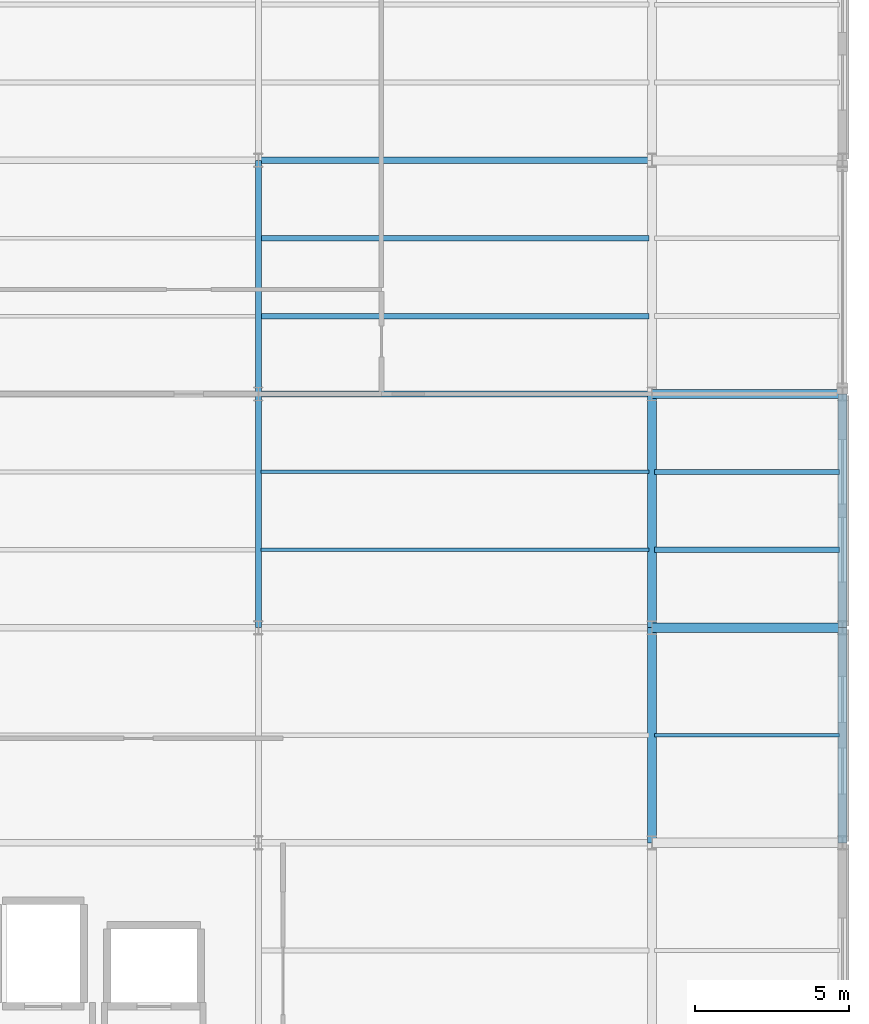
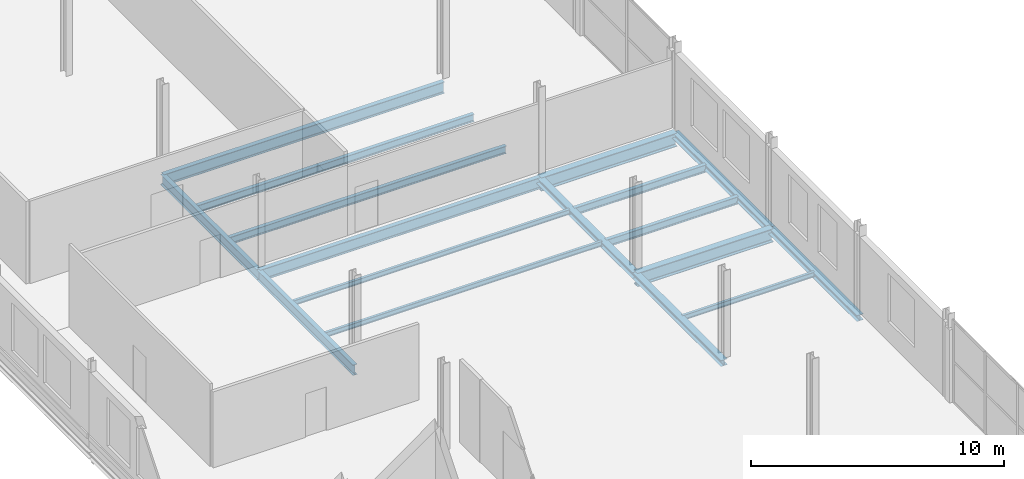
# One storey, part 72 of 93: 17 beams.
"""IFC4 building model written with IfcOpenShell, lengths in metres."""

import ifcopenshell
import ifcopenshell.guid

model = None  # the IFC model being written
_history = None  # IfcOwnerHistory: only IFC2X3 demands one
_inside = {}  # id of a spatial element -> (the spatial element, [elements in it])
_under = {}  # id of a project, library or spatial element -> (it, [spatial elements below it])
_declared = {}  # id of a project -> (the project, [libraries it declares])
_typed = {}  # id of a type object -> (the type object, [elements of that type])
_made_of = {}  # id of a material, layer set ... -> (it, [elements and type objects made of it])


def new_model(schema):
    """Start an empty IFC model of exactly this schema.

    Asked for "IFC4X3", IfcOpenShell would pick the latest addendum, in which some entities
    have other attributes; the version numbers below select the first issue.
    IFC2X3 requires an IfcOwnerHistory on every rooted entity: one is made here for all.
    """
    global model, _history
    if schema == "IFC4X3":
        model = ifcopenshell.file(schema_version=(4, 3, 0, 0))
    else:
        model = ifcopenshell.file(schema=schema)
    _inside.clear()
    _under.clear()
    _declared.clear()
    _typed.clear()
    _made_of.clear()
    _history = None
    if model.schema == "IFC2X3":
        org = make("IfcOrganization", Name="unknown")
        user = make(
            "IfcPersonAndOrganization",
            ThePerson=make("IfcPerson", FamilyName="unknown"),
            TheOrganization=org,
        )
        app = make(
            "IfcApplication",
            ApplicationDeveloper=org,
            Version="unknown",
            ApplicationFullName="unknown",
            ApplicationIdentifier="unknown",
        )
        _history = make(
            "IfcOwnerHistory",
            OwningUser=user,
            OwningApplication=app,
            ChangeAction="ADDED",
            CreationDate=0,
        )
    return model


def make(cls, **values):
    """One entity of the class cls with the attributes given. An attribute that is None is left unset."""
    return model.create_entity(
        cls, **{name: value for name, value in values.items() if value is not None}
    )


def rooted(cls, **values):
    """An entity with a GlobalId (a new one), such as an element, a storey or a relation."""
    return make(cls, GlobalId=ifcopenshell.guid.new(), OwnerHistory=_history, **values)


def si_unit(unit_type, name, prefix=None):
    """IfcSIUnit, for example si_unit("LENGTHUNIT", "METRE", prefix="MILLI")."""
    return make("IfcSIUnit", UnitType=unit_type, Prefix=prefix, Name=name)


def assignment(units):
    """IfcUnitAssignment: the units of a project."""
    return None if units is None else make("IfcUnitAssignment", Units=units)


def point(xyz):
    """IfcCartesianPoint."""
    return None if xyz is None else make("IfcCartesianPoint", Coordinates=xyz)


def direction(xyz):
    """IfcDirection."""
    return None if xyz is None else make("IfcDirection", DirectionRatios=xyz)


def frame(location, z_axis=None, x_axis=None):
    """IfcAxis2Placement3D, a coordinate frame: its origin and axes. An axis left out is left unset."""
    return make(
        "IfcAxis2Placement3D",
        Location=point(location),
        Axis=direction(z_axis),
        RefDirection=direction(x_axis),
    )


def frame_2d(location, x_axis=None):
    """IfcAxis2Placement2D, a coordinate frame in the plane: its origin and x axis."""
    return make(
        "IfcAxis2Placement2D", Location=point(location), RefDirection=direction(x_axis)
    )


def origin():
    """The frame at (0, 0, 0) with its axes left unset."""
    return frame((0.0, 0.0, 0.0))


def origin_2d():
    """The frame at (0, 0) in the plane with its x axis left unset."""
    return frame_2d((0.0, 0.0))


def place(relative_to, where):
    """IfcLocalPlacement: puts the frame where relative to a parent placement (None: the world)."""
    return make(
        "IfcLocalPlacement", PlacementRelTo=relative_to, RelativePlacement=where
    )


def context(
    kind, dimensions, precision=None, world=None, true_north=None, identifier=None
):
    """IfcGeometricRepresentationContext, for example the 3D "Model" context."""
    return make(
        "IfcGeometricRepresentationContext",
        ContextIdentifier=identifier,
        ContextType=kind,
        CoordinateSpaceDimension=dimensions,
        Precision=precision,
        WorldCoordinateSystem=world,
        TrueNorth=true_north,
    )


def subcontext(parent, identifier, kind, view, scale=None):
    """IfcGeometricRepresentationSubContext, for example "Body" below "Model"."""
    return make(
        "IfcGeometricRepresentationSubContext",
        ContextIdentifier=identifier,
        ContextType=kind,
        ParentContext=parent,
        TargetScale=scale,
        TargetView=view,
    )


def project(units=None, contexts=None):
    """IfcProject with its units and contexts."""
    return rooted(
        "IfcProject",
        Name="project",
        RepresentationContexts=contexts,
        UnitsInContext=assignment(units),
    )


def spatial(cls, under=None, at=None, **own):
    """A site, building, storey or space (cls), placed at a placement, below another one or the project."""
    s = rooted(cls, ObjectPlacement=at, **own)
    if under is not None:
        _under.setdefault(under.id(), (under, []))[1].append(s)
    return s


def profile(cls, at=None, kind="AREA", **sizes):
    """A parametric profile (cls). Its sizes go by their IFC names, for example OverallWidth=200.0."""
    return make(cls, ProfileType=kind, Position=at, **sizes)


def i_section(**sizes):
    """IfcIShapeProfileDef."""
    return profile("IfcIShapeProfileDef", **sizes)


def extrude(swept, where, along, depth):
    """IfcExtrudedAreaSolid: the profile swept, set in the frame where, extruded along a direction by depth."""
    return make(
        "IfcExtrudedAreaSolid",
        SweptArea=swept,
        Position=where,
        ExtrudedDirection=direction(along),
        Depth=depth,
    )


def shape(context_of_items, identifier, shape_type, items):
    """IfcShapeRepresentation: the items that make up one representation, for example the "Body"."""
    return make(
        "IfcShapeRepresentation",
        ContextOfItems=context_of_items,
        RepresentationIdentifier=identifier,
        RepresentationType=shape_type,
        Items=items,
    )


def material(Name=None, Category=None):
    """IfcMaterial."""
    return make("IfcMaterial", Name=Name, Category=Category)


def material_profile(
    of_material, cross_section, Name=None, Category=None, Priority=None
):
    """IfcMaterialProfile: a cross section and its material."""
    return make(
        "IfcMaterialProfile",
        Name=Name,
        Material=of_material,
        Profile=cross_section,
        Priority=Priority,
        Category=Category,
    )


def profile_set(profiles, Name=None, composite=None):
    """IfcMaterialProfileSet."""
    return make(
        "IfcMaterialProfileSet",
        Name=Name,
        MaterialProfiles=profiles,
        CompositeProfile=composite,
    )


def made_of(thing, what):
    """Note that an element or type object is made of a material, layer set ...; save() writes the relation."""
    if what is not None:
        _made_of.setdefault(what.id(), (what, []))[1].append(thing)
    return thing


def type_object(cls, material=None, **own):
    """A type object (cls), such as IfcWallType, which elements share."""
    return made_of(rooted(cls, **own), material)


def element(
    cls,
    number,
    at=None,
    inside=None,
    cuts=None,
    type_object=None,
    material=None,
    context=None,
    identifier="Body",
    shape_type=None,
    held_by="IfcProductDefinitionShape",
    body=None,
    shapes=None,
    **own,
):
    """One element of the class cls, such as IfcWall. Its Tag is "e" and its number.

    at: its placement. inside: the storey or other place that contains it. cuts: it is an
    opening in that element (IfcRelVoidsElement). A single representation is given by context,
    identifier, shape_type and body (its items); several are given by shapes. held_by: the class
    of the entity that holds the representations. save() writes the other relations.
    """
    e = rooted(cls, Tag="e%d" % number, ObjectPlacement=at, **own)
    if body is not None:
        shapes = [shape(context, identifier, shape_type, body)]
    if shapes is not None:
        e.Representation = make(held_by, Representations=shapes)
    if inside is not None:
        _inside.setdefault(inside.id(), (inside, []))[1].append(e)
    if cuts is not None:
        rooted(
            "IfcRelVoidsElement", RelatingBuildingElement=cuts, RelatedOpeningElement=e
        )
    if type_object is not None:
        _typed.setdefault(type_object.id(), (type_object, []))[1].append(e)
    return made_of(e, material)


def aggregate(whole, parts):
    """IfcRelAggregates: a whole, such as a stair, and the parts it consists of."""
    return rooted("IfcRelAggregates", RelatingObject=whole, RelatedObjects=parts)


def save(model, path):
    """Write the relations noted so far, then the file.

    IfcRelAggregates (storeys below a building ...), IfcRelContainedInSpatialStructure (elements
    in a storey), IfcRelDefinesByType, IfcRelAssociatesMaterial and IfcRelDeclares: one each for
    every whole, place, type object, material and project.
    """
    for whole, parts in _under.values():
        aggregate(whole, parts)
    for where, things in _inside.values():
        rooted(
            "IfcRelContainedInSpatialStructure",
            RelatedElements=things,
            RelatingStructure=where,
        )
    for kind, things in _typed.values():
        rooted("IfcRelDefinesByType", RelatedObjects=things, RelatingType=kind)
    for what, things in _made_of.values():
        rooted("IfcRelAssociatesMaterial", RelatedObjects=things, RelatingMaterial=what)
    for by, libraries in _declared.values():
        rooted("IfcRelDeclares", RelatingContext=by, RelatedDefinitions=libraries)
    model.write(path)


model = new_model("IFC4")

# Units and contexts
model_context = context("Model", 3, precision=1e-05, world=origin(), true_north=direction((0.0, 1.0)))
body_context = subcontext(model_context, "Body", "Model", "MODEL_VIEW")
ifc_project = project(units=[si_unit("LENGTHUNIT", "METRE"), si_unit("AREAUNIT", "SQUARE_METRE"), si_unit("VOLUMEUNIT", "CUBIC_METRE"), si_unit("PLANEANGLEUNIT", "RADIAN"), si_unit("MASSUNIT", "GRAM", prefix="KILO")], contexts=[model_context])

# Site, building, storey
site_placement = place(None, origin())
site = spatial("IfcSite", under=ifc_project, at=site_placement, CompositionType="ELEMENT")
building_placement = place(site_placement, origin())
building = spatial("IfcBuilding", under=site, at=building_placement, Name="Vekula Escarpment Museum", CompositionType="ELEMENT")
storey_placement = place(building_placement, frame((0.0, 0.0, 22.199951171875)))
storey = spatial("IfcBuildingStorey", under=building, at=storey_placement, Name="L05", CompositionType="ELEMENT", Elevation=22.199951171875)

# Beams
ifc_material_1 = material(Name="Steel S355", Category="steel")
ifc_material_profile_1 = material_profile(ifc_material_1, i_section(OverallWidth=0.300048828125, OverallDepth=0.64990234375, WebThickness=0.01611328125, FlangeThickness=0.031005859375, FilletRadius=0.027099609375, at=origin_2d()), Name="HEB 650")
ifc_profile_set_1 = profile_set([ifc_material_profile_1], Name="Steel S355")
beam_type_1 = type_object("IfcBeamType", Name="BM-GIRD-HEB650", PredefinedType="BEAM", material=ifc_profile_set_1)
for number, where, z_axis, x_axis, name in (
    (1, (191.800048828125, 90.39990234375, -0.574951171875), (1.0, 0.0, 0.0), (0.0, 1.0, 0.0), "Beam X L05 2054"),
    (2, (191.800048828125, 98.0, -0.574951171875), (1.0, 0.0, 0.0), (0.0, 1.0, 0.0), "Beam X L05 2058"),
):
    element("IfcBeam", number, at=place(storey_placement, frame(where, z_axis=z_axis, x_axis=x_axis)), inside=storey, type_object=beam_type_1, Name=name, PredefinedType="BEAM", context=body_context, shape_type="SweptSolid", body=[
        extrude(i_section(OverallWidth=0.300048828125, OverallDepth=0.64990234375, WebThickness=0.01611328125, FlangeThickness=0.031005859375, FilletRadius=0.027099609375, at=origin_2d()), origin(), (0.0, 0.0, 1.0), 6.199951171875),
    ])
ifc_material_2 = material(Name="Steel S355", Category="steel")
ifc_material_profile_2 = material_profile(ifc_material_2, i_section(OverallWidth=0.199951171875, OverallDepth=0.5, WebThickness=0.01025390625, FlangeThickness=0.01611328125, FilletRadius=0.02099609375, at=origin_2d()), Name="IPE 500")
ifc_profile_set_2 = profile_set([ifc_material_profile_2], Name="Steel S355")
beam_type_2 = type_object("IfcBeamType", Name="BM-GIRD-IPE500", PredefinedType="BEAM", material=ifc_profile_set_2)
for number, where, z_axis, x_axis, name in (
    (3, (179.0, 90.39990234375, -0.5), (0.0, 1.0, 0.0), (-1.0, 0.0, 0.0), "Beam Y L05 2171"),
    (4, (179.0, 98.0, -0.5), (0.0, 1.0, 0.0), (-1.0, 0.0, 0.0), "Beam Y L05 2172"),
):
    element("IfcBeam", number, at=place(storey_placement, frame(where, z_axis=z_axis, x_axis=x_axis)), inside=storey, type_object=beam_type_2, Name=name, PredefinedType="BEAM", context=body_context, shape_type="SweptSolid", body=[
        extrude(i_section(OverallWidth=0.199951171875, OverallDepth=0.5, WebThickness=0.01025390625, FlangeThickness=0.01611328125, FilletRadius=0.02099609375, at=origin_2d()), origin(), (0.0, 0.0, 1.0), 7.60009765625),
    ])
ifc_material_3 = material(Name="Steel S355", Category="steel")
ifc_material_profile_3 = material_profile(ifc_material_3, i_section(OverallWidth=0.2099609375, OverallDepth=0.550048828125, WebThickness=0.010986328125, FlangeThickness=0.01708984375, FilletRadius=0.02392578125, at=origin_2d()), Name="IPE 550")
ifc_profile_set_3 = profile_set([ifc_material_profile_3], Name="Steel S355")
beam_type_3 = type_object("IfcBeamType", Name="BM-GIRD-IPE550", PredefinedType="BEAM", material=ifc_profile_set_3)
for number, where, z_axis, x_axis, name in (
    (5, (179.0, 98.0, -0.52490234375), (1.0, 0.0, 0.0), (0.0, 1.0, 0.0), "Beam X L05 2057"),
    (6, (179.0, 105.60009765625, -0.52490234375), (1.0, 0.0, 0.0), (0.0, 1.0, 0.0), "Beam X L05 2061"),
):
    element("IfcBeam", number, at=place(storey_placement, frame(where, z_axis=z_axis, x_axis=x_axis)), inside=storey, type_object=beam_type_3, Name=name, PredefinedType="BEAM", context=body_context, shape_type="SweptSolid", body=[
        extrude(i_section(OverallWidth=0.2099609375, OverallDepth=0.550048828125, WebThickness=0.010986328125, FlangeThickness=0.01708984375, FilletRadius=0.02392578125, at=origin_2d()), origin(), (0.0, 0.0, 1.0), 12.800048828125),
    ])
ifc_material_4 = material(Name="Steel S355", Category="steel")
ifc_material_profile_4 = material_profile(ifc_material_4, i_section(OverallWidth=0.1201171875, OverallDepth=0.239990234375, WebThickness=0.006103515625, FlangeThickness=0.009765625, FilletRadius=0.014892578125, at=origin_2d()), Name="IPE 240")
ifc_profile_set_4 = profile_set([ifc_material_profile_4], Name="Steel S355")
beam_type_4 = type_object("IfcBeamType", Name="BM-JST-IPE240", PredefinedType="JOIST", material=ifc_profile_set_4)
for number, where, z_axis, x_axis, name in (
    (7, (179.090087890625, 92.933349609375, -0.369873046875), (1.0, 0.0, 0.0), (0.0, 1.0, 0.0), "Secondary Joist L05 1405"),
    (8, (179.090087890625, 95.466796875, -0.369873046875), (1.0, 0.0, 0.0), (0.0, 1.0, 0.0), "Secondary Joist L05 1406"),
):
    element("IfcBeam", number, at=place(storey_placement, frame(where, z_axis=z_axis, x_axis=x_axis)), inside=storey, type_object=beam_type_4, Name=name, PredefinedType="JOIST", context=body_context, shape_type="SweptSolid", body=[
        extrude(i_section(OverallWidth=0.1201171875, OverallDepth=0.239990234375, WebThickness=0.006103515625, FlangeThickness=0.009765625, FilletRadius=0.014892578125, at=origin_2d()), origin(), (0.0, 0.0, 1.0), 12.619873046875),
    ])
beam_1_placement = place(storey_placement, frame((191.889892578125, 86.89990234375, -0.369873046875), z_axis=(1.0, 0.0, 0.0), x_axis=(0.0, 1.0, 0.0)))
element("IfcBeam", 9, at=beam_1_placement, inside=storey, type_object=beam_type_4, Name="Secondary Joist L05 1418", PredefinedType="JOIST", context=body_context, shape_type="SweptSolid", body=[
    extrude(i_section(OverallWidth=0.1201171875, OverallDepth=0.239990234375, WebThickness=0.006103515625, FlangeThickness=0.009765625, FilletRadius=0.014892578125, at=origin_2d()), origin(), (0.0, 0.0, 1.0), 6.02001953125),
])
ifc_material_5 = material(Name="Steel S355", Category="steel")
ifc_material_profile_5 = material_profile(ifc_material_5, i_section(OverallWidth=0.169921875, OverallDepth=0.360107421875, WebThickness=0.008056640625, FlangeThickness=0.0126953125, FilletRadius=0.01806640625, at=origin_2d()), Name="IPE 360")
ifc_profile_set_5 = profile_set([ifc_material_profile_5], Name="Steel S355")
beam_type_5 = type_object("IfcBeamType", Name="BM-JST-IPE360", PredefinedType="JOIST", material=ifc_profile_set_5)
for number, where, z_axis, x_axis, name in (
    (10, (179.090087890625, 100.533203125, -0.429931640625), (1.0, 0.0, 0.0), (0.0, 1.0, 0.0), "Secondary Joist L05 1407"),
    (11, (179.090087890625, 103.066650390625, -0.429931640625), (1.0, 0.0, 0.0), (0.0, 1.0, 0.0), "Secondary Joist L05 1408"),
):
    element("IfcBeam", number, at=place(storey_placement, frame(where, z_axis=z_axis, x_axis=x_axis)), inside=storey, type_object=beam_type_5, Name=name, PredefinedType="JOIST", context=body_context, shape_type="SweptSolid", body=[
        extrude(i_section(OverallWidth=0.169921875, OverallDepth=0.360107421875, WebThickness=0.008056640625, FlangeThickness=0.0126953125, FilletRadius=0.01806640625, at=origin_2d()), origin(), (0.0, 0.0, 1.0), 12.619873046875),
    ])
for number, where, z_axis, x_axis, name in (
    (12, (191.889892578125, 92.933349609375, -0.429931640625), (1.0, 0.0, 0.0), (0.0, 1.0, 0.0), "Secondary Joist L05 1419"),
    (13, (191.889892578125, 95.466796875, -0.429931640625), (1.0, 0.0, 0.0), (0.0, 1.0, 0.0), "Secondary Joist L05 1420"),
):
    element("IfcBeam", number, at=place(storey_placement, frame(where, z_axis=z_axis, x_axis=x_axis)), inside=storey, type_object=beam_type_5, Name=name, PredefinedType="JOIST", context=body_context, shape_type="SweptSolid", body=[
        extrude(i_section(OverallWidth=0.169921875, OverallDepth=0.360107421875, WebThickness=0.008056640625, FlangeThickness=0.0126953125, FilletRadius=0.01806640625, at=origin_2d()), origin(), (0.0, 0.0, 1.0), 6.02001953125),
    ])
ifc_material_6 = material(Name="Steel S355", Category="steel")
ifc_material_profile_6 = material_profile(ifc_material_6, i_section(OverallWidth=0.300048828125, OverallDepth=0.2900390625, WebThickness=0.008544921875, FlangeThickness=0.013916015625, FilletRadius=0.027099609375, at=origin_2d()), Name="HEA 300")
ifc_profile_set_6 = profile_set([ifc_material_profile_6], Name="Steel S355")
beam_type_6 = type_object("IfcBeamType", Name="BM-SPAN-HEA300", PredefinedType="SPANDREL", material=ifc_profile_set_6)
beam_2_placement = place(storey_placement, frame((191.800048828125, 83.39990234375, -0.39501953125), z_axis=(0.0, 1.0, 0.0), x_axis=(-1.0, 0.0, 0.0)))
element("IfcBeam", 14, at=beam_2_placement, inside=storey, type_object=beam_type_6, Name="Beam Y L05 2179", PredefinedType="SPANDREL", context=body_context, shape_type="SweptSolid", body=[
    extrude(i_section(OverallWidth=0.300048828125, OverallDepth=0.2900390625, WebThickness=0.008544921875, FlangeThickness=0.013916015625, FilletRadius=0.027099609375, at=origin_2d()), origin(), (0.0, 0.0, 1.0), 7.0),
])
beam_3_placement = place(storey_placement, frame((191.800048828125, 90.39990234375, -0.39501953125), z_axis=(0.0, 1.0, 0.0), x_axis=(-1.0, 0.0, 0.0)))
element("IfcBeam", 15, at=beam_3_placement, inside=storey, type_object=beam_type_6, Name="Beam Y L05 2180", PredefinedType="SPANDREL", context=body_context, shape_type="SweptSolid", body=[
    extrude(i_section(OverallWidth=0.300048828125, OverallDepth=0.2900390625, WebThickness=0.008544921875, FlangeThickness=0.013916015625, FilletRadius=0.027099609375, at=origin_2d()), origin(), (0.0, 0.0, 1.0), 7.60009765625),
])
beam_4_placement = place(storey_placement, frame((198.0, 83.39990234375, -0.39501953125), z_axis=(0.0, 1.0, 0.0), x_axis=(-1.0, 0.0, 0.0)))
element("IfcBeam", 16, at=beam_4_placement, inside=storey, type_object=beam_type_6, Name="Beam Y L05 2187", PredefinedType="SPANDREL", context=body_context, shape_type="SweptSolid", body=[
    extrude(i_section(OverallWidth=0.300048828125, OverallDepth=0.2900390625, WebThickness=0.008544921875, FlangeThickness=0.013916015625, FilletRadius=0.027099609375, at=origin_2d()), origin(), (0.0, 0.0, 1.0), 7.0),
])
beam_5_placement = place(storey_placement, frame((198.0, 90.39990234375, -0.39501953125), z_axis=(0.0, 1.0, 0.0), x_axis=(-1.0, 0.0, 0.0)))
element("IfcBeam", 17, at=beam_5_placement, inside=storey, type_object=beam_type_6, Name="Beam Y L05 2188", PredefinedType="SPANDREL", context=body_context, shape_type="SweptSolid", body=[
    extrude(i_section(OverallWidth=0.300048828125, OverallDepth=0.2900390625, WebThickness=0.008544921875, FlangeThickness=0.013916015625, FilletRadius=0.027099609375, at=origin_2d()), origin(), (0.0, 0.0, 1.0), 7.60009765625),
])

save(model, "model.ifc")
